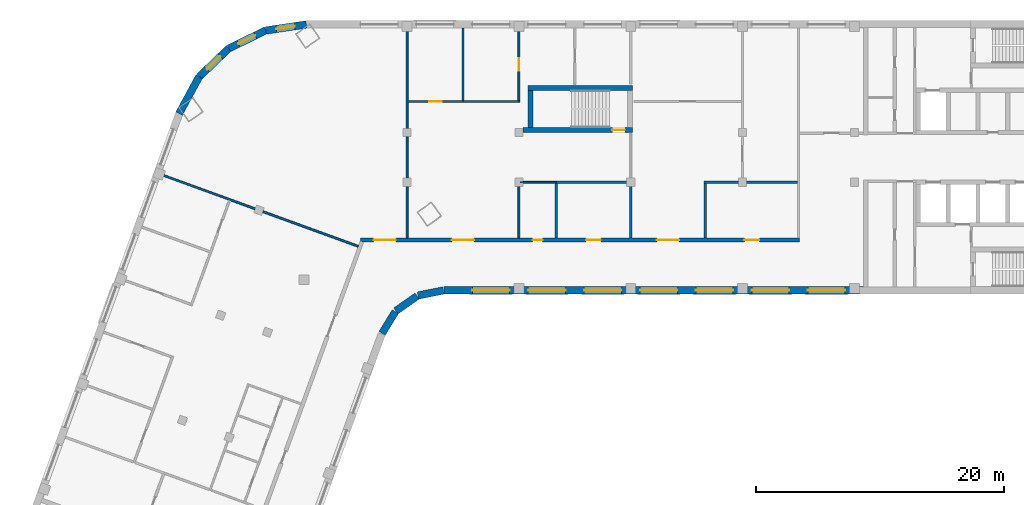
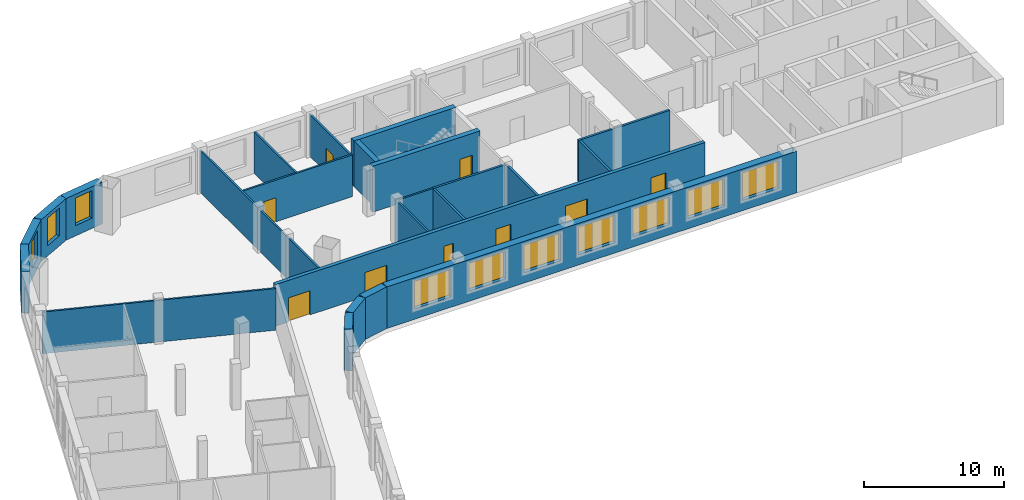
# One storey, part 4 of 8: 24 walls, 10 windows, 9 doors, 19 openings.
"""IFC4 building model written with IfcOpenShell, lengths in metres."""

from ifc_helpers import new_model, si_unit, direction, frame, frame_2d, origin, place, context, subcontext, project, spatial, rectangle, extrude, material, layer, layer_set, type_object, element, fill, save


model = new_model("IFC4")

# Units and contexts
model_context = context("Model", 3, precision=1e-05, world=origin(), true_north=direction((0.0, 1.0)))
body_context = subcontext(model_context, "Body", "Model", "MODEL_VIEW")
ifc_project = project(units=[si_unit("LENGTHUNIT", "METRE"), si_unit("AREAUNIT", "SQUARE_METRE"), si_unit("VOLUMEUNIT", "CUBIC_METRE"), si_unit("PLANEANGLEUNIT", "RADIAN"), si_unit("MASSUNIT", "GRAM", prefix="KILO")], contexts=[model_context])

# Site, building, storey
site_placement = place(None, origin())
site = spatial("IfcSite", under=ifc_project, at=site_placement, CompositionType="ELEMENT")
building_placement = place(site_placement, origin())
building = spatial("IfcBuilding", under=site, at=building_placement, Name="Skarvind Civic Tower", CompositionType="ELEMENT")
storey_placement = place(building_placement, frame((0.0, 0.0, 162.5)))
storey = spatial("IfcBuildingStorey", under=building, at=storey_placement, Name="L38", CompositionType="ELEMENT", Elevation=162.5)

# Walls
ifc_material_1 = material(Name="Acoustic gypsum board on steel studs", Category="steel")
ifc_layer_1 = layer(ifc_material_1, 0.175048828125)
ifc_layer_set_1 = layer_set([ifc_layer_1], Name="ACOUSTIC MEETING-ROOM PARTITION 175")
wall_type_1 = type_object("IfcWallType", Name="ACOUSTIC MEETING-ROOM PARTITION 175", PredefinedType="PARTITIONING", material=ifc_layer_set_1)
wall_1_placement = place(storey_placement, frame((66.25, 121.5, 0.0), z_axis=(0.0, 0.0, 1.0), x_axis=(0.0, 1.0, 0.0)))
element("IfcWall", 1, at=wall_1_placement, inside=storey, type_object=wall_type_1, Name="Partition 38.028", PredefinedType="PARTITIONING", context=body_context, shape_type="SweptSolid", body=[
    extrude(rectangle(XDim=4.412109375, YDim=0.175048828125, at=frame_2d((2.2060546875, 0.0))), origin(), (0.0, 0.0, 1.0), 3.625),
])
wall_2_placement = place(storey_placement, frame((66.25, 126.0, 0.0), z_axis=(0.0, 0.0, 1.0), x_axis=(1.0, 0.0, 0.0)))
element("IfcWall", 2, at=wall_2_placement, inside=storey, type_object=wall_type_1, Name="Partition 38.030", PredefinedType="PARTITIONING", context=body_context, shape_type="SweptSolid", body=[
    extrude(rectangle(XDim=6.0, YDim=0.175048828125, at=frame_2d((3.0, 0.0))), origin(), (0.0, 0.0, 1.0), 3.625),
])
wall_3_placement = place(storey_placement, frame((72.25, 121.5, 0.0), z_axis=(0.0, 0.0, 1.0), x_axis=(0.0, 1.0, 0.0)))
element("IfcWall", 3, at=wall_3_placement, inside=storey, type_object=wall_type_1, Name="Partition 38.032", PredefinedType="PARTITIONING", context=body_context, shape_type="SweptSolid", body=[
    extrude(rectangle(XDim=4.427978515625, YDim=0.175048828125, at=frame_2d((2.2138671875, 0.0))), origin(), (0.0, 0.0, 1.0), 3.625),
])
wall_4_placement = place(storey_placement, frame((78.25, 125.912109375, 0.0), z_axis=(0.0, 0.0, 1.0), x_axis=(0.0, -1.0, 0.0)))
element("IfcWall", 4, at=wall_4_placement, inside=storey, type_object=wall_type_1, Name="Partition 38.035", PredefinedType="PARTITIONING", context=body_context, shape_type="SweptSolid", body=[
    extrude(rectangle(XDim=4.412109375, YDim=0.175048828125, at=frame_2d((2.2060546875, 0.0))), origin(), (0.0, 0.0, 1.0), 3.625),
])
wall_5_placement = place(storey_placement, frame((78.162109375, 126.0, 0.0), z_axis=(0.0, 0.0, 1.0), x_axis=(1.0, 0.0, 0.0)))
element("IfcWall", 5, at=wall_5_placement, inside=storey, type_object=wall_type_1, Name="Partition 38.036", PredefinedType="PARTITIONING", context=body_context, shape_type="SweptSolid", body=[
    extrude(rectangle(XDim=7.5, YDim=0.175048828125, at=frame_2d((3.75, 0.0))), origin(), (0.0, 0.0, 1.0), 3.625),
])

# Wall, openings, doors
ifc_material_2 = material(Name="Fire-rated gypsum board on steel studs", Category="steel")
ifc_layer_2 = layer(ifc_material_2, 0.300048828125)
ifc_layer_set_2 = layer_set([ifc_layer_2], Name="CORRIDOR WALL 300")
wall_type_2 = type_object("IfcWallType", Name="CORRIDOR WALL 300", PredefinedType="PARTITIONING", material=ifc_layer_set_2)
wall_6_placement = place(storey_placement, frame((50.506103515625, 121.35009765625, 0.0), z_axis=(0.0, 0.0, 1.0), x_axis=(1.0, 0.0, 0.0)))
wall_6 = element("IfcWall", 6, at=wall_6_placement, inside=storey, type_object=wall_type_2, Name="Partition 38.022", PredefinedType="PARTITIONING", context=body_context, shape_type="SweptSolid", body=[
    extrude(rectangle(XDim=35.331787109375, YDim=0.300048828125, at=frame_2d((17.666015625, 0.0))), origin(), (0.0, 0.0, 1.0), 3.625),
])
opening_1_placement = place(wall_6_placement, frame((30.89404296875, 0.0, 0.0)))
opening_1 = element("IfcOpeningElement", 7, at=opening_1_placement, cuts=wall_6, Name="Opening L38-D002", PredefinedType="OPENING", context=body_context, shape_type="SweptSolid", body=[
    extrude(rectangle(XDim=1.199951171875, YDim=2.10009765625, at=frame_2d((0.60009765625, 1.050048828125))), frame((0.0, 0.159912109375, 0.0), z_axis=(0.0, -1.0, 0.0), x_axis=(1.0, 0.0, 0.0)), (0.0, 0.0, 1.0), 0.320068359375),
])
opening_2_placement = place(wall_6_placement, frame((23.843994140625, 0.0, 0.0)))
opening_2 = element("IfcOpeningElement", 8, at=opening_2_placement, cuts=wall_6, Name="Opening L38-D004", PredefinedType="OPENING", context=body_context, shape_type="SweptSolid", body=[
    extrude(rectangle(XDim=1.800048828125, YDim=2.10009765625, at=frame_2d((0.89990234375, 1.050048828125))), frame((0.0, 0.159912109375, 0.0), z_axis=(0.0, -1.0, 0.0), x_axis=(1.0, 0.0, 0.0)), (0.0, 0.0, 1.0), 0.320068359375),
])
opening_3_placement = place(wall_6_placement, frame((18.14404296875, 0.0, 0.0)))
opening_3 = element("IfcOpeningElement", 9, at=opening_3_placement, cuts=wall_6, Name="Opening L38-D005", PredefinedType="OPENING", context=body_context, shape_type="SweptSolid", body=[
    extrude(rectangle(XDim=1.199951171875, YDim=2.10009765625, at=frame_2d((0.60009765625, 1.050048828125))), frame((0.0, 0.159912109375, 0.0), z_axis=(0.0, -1.0, 0.0), x_axis=(1.0, 0.0, 0.0)), (0.0, 0.0, 1.0), 0.320068359375),
])
opening_4_placement = place(wall_6_placement, frame((13.843994140625, 0.0, 0.0)))
opening_4 = element("IfcOpeningElement", 10, at=opening_4_placement, cuts=wall_6, Name="Opening L38-D006", PredefinedType="OPENING", context=body_context, shape_type="SweptSolid", body=[
    extrude(rectangle(XDim=0.800048828125, YDim=2.10009765625, at=frame_2d((0.39990234375, 1.050048828125))), frame((0.0, 0.159912109375, 0.0), z_axis=(0.0, -1.0, 0.0), x_axis=(1.0, 0.0, 0.0)), (0.0, 0.0, 1.0), 0.320068359375),
])
opening_5_placement = place(wall_6_placement, frame((7.343994140625, 0.0, 0.0)))
opening_5 = element("IfcOpeningElement", 11, at=opening_5_placement, cuts=wall_6, Name="Opening L38-D010", PredefinedType="OPENING", context=body_context, shape_type="SweptSolid", body=[
    extrude(rectangle(XDim=1.800048828125, YDim=2.10009765625, at=frame_2d((0.89990234375, 1.050048828125))), frame((0.0, 0.159912109375, 0.0), z_axis=(0.0, -1.0, 0.0), x_axis=(1.0, 0.0, 0.0)), (0.0, 0.0, 1.0), 0.320068359375),
])
opening_6_placement = place(wall_6_placement, frame((1.047119140625, 0.0, 0.0)))
opening_6 = element("IfcOpeningElement", 12, at=opening_6_placement, cuts=wall_6, Name="Opening L38-D021", PredefinedType="OPENING", context=body_context, shape_type="SweptSolid", body=[
    extrude(rectangle(XDim=1.800048828125, YDim=2.10009765625, at=frame_2d((0.89990234375, 1.050048828125))), frame((0.0, 0.159912109375, 0.0), z_axis=(0.0, -1.0, 0.0), x_axis=(1.0, 0.0, 0.0)), (0.0, 0.0, 1.0), 0.320068359375),
])
ifc_material_3 = material(Name="Fire-rated timber door leaf", Category="wood")
door_type_1 = type_object("IfcDoorType", Name="FD4 1800x2100", OperationType="NOTDEFINED", PredefinedType="DOOR", material=ifc_material_3)
door_1_placement = place(opening_2_placement, origin())
door_1 = element("IfcDoor", 13, at=door_1_placement, inside=storey, type_object=door_type_1, Name="Door L38-D004", OperationType="DOUBLE_DOOR_SINGLE_SWING", OverallHeight=2.10009765625, OverallWidth=1.800048828125, PredefinedType="DOOR", context=body_context, shape_type="SweptSolid", body=[
    extrude(rectangle(XDim=1.800048828125, YDim=2.10009765625, at=frame_2d((0.89990234375, 1.050048828125))), frame((0.0, 0.02490234375, 0.0), z_axis=(0.0, -1.0, 0.0), x_axis=(1.0, 0.0, 0.0)), (0.0, 0.0, 1.0), 0.050048828125),
])
fill(opening_2, door_1)
door_2_placement = place(opening_5_placement, origin())
door_2 = element("IfcDoor", 14, at=door_2_placement, inside=storey, type_object=door_type_1, Name="Door L38-D010", OperationType="DOUBLE_DOOR_SINGLE_SWING", OverallHeight=2.10009765625, OverallWidth=1.800048828125, PredefinedType="DOOR", context=body_context, shape_type="SweptSolid", body=[
    extrude(rectangle(XDim=1.800048828125, YDim=2.10009765625, at=frame_2d((0.89990234375, 1.050048828125))), frame((0.0, 0.02490234375, 0.0), z_axis=(0.0, -1.0, 0.0), x_axis=(1.0, 0.0, 0.0)), (0.0, 0.0, 1.0), 0.050048828125),
])
fill(opening_5, door_2)
door_3_placement = place(opening_6_placement, origin())
door_3 = element("IfcDoor", 15, at=door_3_placement, inside=storey, type_object=door_type_1, Name="Door L38-D021", OperationType="DOUBLE_DOOR_SINGLE_SWING", OverallHeight=2.10009765625, OverallWidth=1.800048828125, PredefinedType="DOOR", context=body_context, shape_type="SweptSolid", body=[
    extrude(rectangle(XDim=1.800048828125, YDim=2.10009765625, at=frame_2d((0.89990234375, 1.050048828125))), frame((0.0, 0.02490234375, 0.0), z_axis=(0.0, -1.0, 0.0), x_axis=(1.0, 0.0, 0.0)), (0.0, 0.0, 1.0), 0.050048828125),
])
fill(opening_6, door_3)
door_type_2 = type_object("IfcDoorType", Name="FD5 800x2100", OperationType="NOTDEFINED", PredefinedType="DOOR", material=ifc_material_3)
door_4_placement = place(opening_4_placement, origin())
door_4 = element("IfcDoor", 16, at=door_4_placement, inside=storey, type_object=door_type_2, Name="Door L38-D006", OperationType="SINGLE_SWING_LEFT", OverallHeight=2.10009765625, OverallWidth=0.800048828125, PredefinedType="DOOR", context=body_context, shape_type="SweptSolid", body=[
    extrude(rectangle(XDim=0.800048828125, YDim=2.10009765625, at=frame_2d((0.39990234375, 1.050048828125))), frame((0.0, 0.02490234375, 0.0), z_axis=(0.0, -1.0, 0.0), x_axis=(1.0, 0.0, 0.0)), (0.0, 0.0, 1.0), 0.050048828125),
])
fill(opening_4, door_4)
door_type_3 = type_object("IfcDoorType", Name="FD6 1200x2100 DOUBLE", OperationType="NOTDEFINED", PredefinedType="DOOR", material=ifc_material_3)
door_5_placement = place(opening_1_placement, origin())
door_5 = element("IfcDoor", 17, at=door_5_placement, inside=storey, type_object=door_type_3, Name="Door L38-D002", OperationType="DOUBLE_DOOR_SINGLE_SWING", OverallHeight=2.10009765625, OverallWidth=1.199951171875, PredefinedType="DOOR", context=body_context, shape_type="SweptSolid", body=[
    extrude(rectangle(XDim=1.199951171875, YDim=2.10009765625, at=frame_2d((0.60009765625, 1.050048828125))), frame((0.0, 0.02490234375, 0.0), z_axis=(0.0, -1.0, 0.0), x_axis=(1.0, 0.0, 0.0)), (0.0, 0.0, 1.0), 0.050048828125),
])
fill(opening_1, door_5)
door_6_placement = place(opening_3_placement, origin())
door_6 = element("IfcDoor", 18, at=door_6_placement, inside=storey, type_object=door_type_3, Name="Door L38-D005", OperationType="DOUBLE_DOOR_SINGLE_SWING", OverallHeight=2.10009765625, OverallWidth=1.199951171875, PredefinedType="DOOR", context=body_context, shape_type="SweptSolid", body=[
    extrude(rectangle(XDim=1.199951171875, YDim=2.10009765625, at=frame_2d((0.60009765625, 1.050048828125))), frame((0.0, 0.02490234375, 0.0), z_axis=(0.0, -1.0, 0.0), x_axis=(1.0, 0.0, 0.0)), (0.0, 0.0, 1.0), 0.050048828125),
])
fill(opening_3, door_6)

# Wall, opening, door
ifc_material_4 = material(Name="Concrete C60", Category="concrete")
ifc_layer_3 = layer(ifc_material_4, 0.39990234375)
ifc_layer_set_3 = layer_set([ifc_layer_3], Name="Core wall 400 C60")
wall_type_3 = type_object("IfcWallType", Name="Core wall 400 C60", PredefinedType="SHEAR", material=ifc_layer_set_3)
wall_7_placement = place(storey_placement, frame((63.574951171875, 130.199951171875, 0.0), z_axis=(0.0, 0.0, 1.0), x_axis=(1.0, 0.0, 0.0)))
wall_7 = element("IfcWall", 19, at=wall_7_placement, inside=storey, type_object=wall_type_3, Name="Core wall CM inner L38", PredefinedType="SHEAR", context=body_context, shape_type="SweptSolid", body=[
    extrude(rectangle(XDim=8.824951171875, YDim=0.39990234375, at=frame_2d((4.41259765625, 0.0))), origin(), (0.0, 0.0, 1.0), 4.0),
])
opening_7_placement = place(wall_7_placement, frame((7.199951171875, 0.0, 0.0)))
opening_7 = element("IfcOpeningElement", 20, at=opening_7_placement, cuts=wall_7, Name="Opening D-L38-CM-01", PredefinedType="OPENING", context=body_context, shape_type="SweptSolid", body=[
    extrude(rectangle(XDim=1.0, YDim=2.10009765625, at=frame_2d((0.5, 1.050048828125))), frame((0.0, 0.2099609375, 0.0), z_axis=(0.0, -1.0, 0.0), x_axis=(1.0, 0.0, 0.0)), (0.0, 0.0, 1.0), 0.419921875),
])
ifc_material_5 = material(Name="Fire-rated steel door", Category="steel")
door_type_4 = type_object("IfcDoorType", Name="Fire door 1000", OperationType="NOTDEFINED", PredefinedType="DOOR", material=ifc_material_5)
door_7_placement = place(opening_7_placement, origin())
door_7 = element("IfcDoor", 21, at=door_7_placement, inside=storey, type_object=door_type_4, Name="Fire door", OperationType="SINGLE_SWING_LEFT", OverallHeight=2.10009765625, OverallWidth=1.0, PredefinedType="DOOR", context=body_context, shape_type="SweptSolid", body=[
    extrude(rectangle(XDim=1.0, YDim=2.10009765625, at=frame_2d((0.5, 1.050048828125))), frame((0.0, 0.02490234375, 0.0), z_axis=(0.0, -1.0, 0.0), x_axis=(1.0, 0.0, 0.0)), (0.0, 0.0, 1.0), 0.050048828125),
])
fill(opening_7, door_7)

# Walls
wall_8_placement = place(storey_placement, frame((64.0, 133.60009765625, 0.0), z_axis=(0.0, 0.0, 1.0), x_axis=(1.0, 0.0, 0.0)))
element("IfcWall", 22, at=wall_8_placement, inside=storey, type_object=wall_type_3, Name="Core wall CM outer L38", PredefinedType="SHEAR", context=body_context, shape_type="SweptSolid", body=[
    extrude(rectangle(XDim=8.39990234375, YDim=0.39990234375, at=frame_2d((4.199951171875, 0.0))), origin(), (0.0, 0.0, 1.0), 4.0),
])
wall_9_placement = place(storey_placement, frame((64.199951171875, 130.39990234375, 0.0), z_axis=(0.0, 0.0, 1.0), x_axis=(0.0, 1.0, 0.0)))
element("IfcWall", 23, at=wall_9_placement, inside=storey, type_object=wall_type_3, Name="Core wall CM west L38", PredefinedType="SHEAR", context=body_context, shape_type="SweptSolid", body=[
    extrude(rectangle(XDim=3.0, YDim=0.39990234375, at=frame_2d((1.5, 0.0))), origin(), (0.0, 0.0, 1.0), 4.0),
])
ifc_material_6 = material(Name="Plasterboard partition on steel studs", Category="steel")
ifc_layer_4 = layer(ifc_material_6, 0.14990234375)
ifc_layer_set_4 = layer_set([ifc_layer_4], Name="PARTITION 150")
wall_type_4 = type_object("IfcWallType", Name="PARTITION 150", PredefinedType="PARTITIONING", material=ifc_layer_set_4)
wall_10_placement = place(storey_placement, frame((34.430908203125, 126.6240234375, 0.0), z_axis=(0.0, 0.0, 1.0), x_axis=(0.939678226331, -0.342059689177, 0.0)))
element("IfcWall", 24, at=wall_10_placement, inside=storey, type_object=wall_type_4, Name="Partition 38.006", PredefinedType="PARTITIONING", context=body_context, shape_type="SweptSolid", body=[
    extrude(rectangle(XDim=16.900634765625, YDim=0.14990234375, at=frame_2d((8.4501953125, 0.0))), origin(), (0.0, 0.0, 1.0), 3.625),
])
wall_11_placement = place(storey_placement, frame((54.25, 121.5, 0.0), z_axis=(0.0, 0.0, 1.0), x_axis=(0.0, 1.0, 0.0)))
element("IfcWall", 25, at=wall_11_placement, inside=storey, type_object=wall_type_4, Name="Partition 38.023", PredefinedType="PARTITIONING", context=body_context, shape_type="SweptSolid", body=[
    extrude(rectangle(XDim=16.89990234375, YDim=0.14990234375, at=frame_2d((8.449951171875, 0.0))), origin(), (0.0, 0.0, 1.0), 3.625),
])

# Wall, opening, door
wall_12_placement = place(storey_placement, frame((63.324951171875, 132.5, 0.0), z_axis=(0.0, 0.0, 1.0), x_axis=(-1.0, 0.0, 0.0)))
wall_12 = element("IfcWall", 26, at=wall_12_placement, inside=storey, type_object=wall_type_4, Name="Partition 38.024", PredefinedType="PARTITIONING", context=body_context, shape_type="SweptSolid", body=[
    extrude(rectangle(XDim=9.0, YDim=0.14990234375, at=frame_2d((4.5, 0.0))), origin(), (0.0, 0.0, 1.0), 3.625),
])
opening_8_placement = place(wall_12_placement, frame((6.297607421875, 0.0, 0.0)))
opening_8 = element("IfcOpeningElement", 27, at=opening_8_placement, cuts=wall_12, Name="Opening L38-D009", PredefinedType="OPENING", context=body_context, shape_type="SweptSolid", body=[
    extrude(rectangle(XDim=1.0, YDim=2.10009765625, at=frame_2d((0.5, 1.050048828125))), frame((0.0, 0.0849609375, 0.0), z_axis=(0.0, -1.0, 0.0), x_axis=(1.0, 0.0, 0.0)), (0.0, 0.0, 1.0), 0.169921875),
])
ifc_material_7 = material(Name="Timber door leaf", Category="wood")
door_type_5 = type_object("IfcDoorType", Name="D1 1000x2100", OperationType="NOTDEFINED", PredefinedType="DOOR", material=ifc_material_7)
door_8_placement = place(opening_8_placement, origin())
door_8 = element("IfcDoor", 28, at=door_8_placement, inside=storey, type_object=door_type_5, Name="Door L38-D009", OperationType="SINGLE_SWING_RIGHT", OverallHeight=2.10009765625, OverallWidth=1.0, PredefinedType="DOOR", context=body_context, shape_type="SweptSolid", body=[
    extrude(rectangle(XDim=1.0, YDim=2.10009765625, at=frame_2d((0.5, 1.050048828125))), frame((0.0, 0.02490234375, 0.0), z_axis=(0.0, -1.0, 0.0), x_axis=(1.0, 0.0, 0.0)), (0.0, 0.0, 1.0), 0.050048828125),
])
fill(opening_8, door_8)

# Walls
wall_13_placement = place(storey_placement, frame((58.75, 132.574951171875, 0.0), z_axis=(0.0, 0.0, 1.0), x_axis=(0.0, 1.0, 0.0)))
element("IfcWall", 29, at=wall_13_placement, inside=storey, type_object=wall_type_4, Name="Partition 38.025", PredefinedType="PARTITIONING", context=body_context, shape_type="SweptSolid", body=[
    extrude(rectangle(XDim=5.824951171875, YDim=0.14990234375, at=frame_2d((2.91259765625, 0.0))), origin(), (0.0, 0.0, 1.0), 3.625),
])
wall_14_placement = place(storey_placement, frame((63.25, 126.074951171875, 0.0), z_axis=(0.0, 0.0, 1.0), x_axis=(0.0, -1.0, 0.0)))
element("IfcWall", 30, at=wall_14_placement, inside=storey, type_object=wall_type_4, Name="Partition 38.026", PredefinedType="PARTITIONING", context=body_context, shape_type="SweptSolid", body=[
    extrude(rectangle(XDim=4.574951171875, YDim=0.14990234375, at=frame_2d((2.28759765625, 0.0))), origin(), (0.0, 0.0, 1.0), 3.625),
])

# Wall, opening, door
wall_15_placement = place(storey_placement, frame((63.25, 138.39990234375, 0.0), z_axis=(0.0, 0.0, 1.0), x_axis=(0.0, -1.0, 0.0)))
wall_15 = element("IfcWall", 31, at=wall_15_placement, inside=storey, type_object=wall_type_4, Name="Partition 38.027", PredefinedType="PARTITIONING", context=body_context, shape_type="SweptSolid", body=[
    extrude(rectangle(XDim=5.824951171875, YDim=0.14990234375, at=frame_2d((2.91259765625, 0.0))), origin(), (0.0, 0.0, 1.0), 3.625),
])
opening_9_placement = place(wall_15_placement, frame((2.422607421875, 0.0, 0.0)))
opening_9 = element("IfcOpeningElement", 32, at=opening_9_placement, cuts=wall_15, Name="Opening L38-D008", PredefinedType="OPENING", context=body_context, shape_type="SweptSolid", body=[
    extrude(rectangle(XDim=1.0, YDim=2.10009765625, at=frame_2d((0.5, 1.050048828125))), frame((0.0, 0.0849609375, 0.0), z_axis=(0.0, -1.0, 0.0), x_axis=(1.0, 0.0, 0.0)), (0.0, 0.0, 1.0), 0.169921875),
])
door_9_placement = place(opening_9_placement, origin())
door_9 = element("IfcDoor", 33, at=door_9_placement, inside=storey, type_object=door_type_5, Name="Door L38-D008", OperationType="SINGLE_SWING_LEFT", OverallHeight=2.10009765625, OverallWidth=1.0, PredefinedType="DOOR", context=body_context, shape_type="SweptSolid", body=[
    extrude(rectangle(XDim=1.0, YDim=2.10009765625, at=frame_2d((0.5, 1.050048828125))), frame((0.0, 0.02490234375, 0.0), z_axis=(0.0, -1.0, 0.0), x_axis=(1.0, 0.0, 0.0)), (0.0, 0.0, 1.0), 0.050048828125),
])
fill(opening_9, door_9)

# Walls
wall_16_placement = place(storey_placement, frame((66.25, 126.0, 0.0), z_axis=(0.0, 0.0, 1.0), x_axis=(-1.0, 0.0, 0.0)))
element("IfcWall", 34, at=wall_16_placement, inside=storey, type_object=wall_type_4, Name="Partition 38.029", PredefinedType="PARTITIONING", context=body_context, shape_type="SweptSolid", body=[
    extrude(rectangle(XDim=2.925048828125, YDim=0.14990234375, at=frame_2d((1.46240234375, 0.0))), origin(), (0.0, 0.0, 1.0), 3.625),
])
ifc_material_8 = material(Name="Limestone masonry cladding on insulated backing", Category="masonry")
ifc_layer_5 = layer(ifc_material_8, 0.60009765625)
ifc_layer_set_5 = layer_set([ifc_layer_5], Name="WX1 STONE FACADE WALL 600")
wall_type_5 = type_object("IfcWallType", Name="WX1 STONE FACADE WALL 600", PredefinedType="SOLIDWALL", material=ifc_layer_set_5)
wall_17_placement = place(storey_placement, frame((53.30517578125, 115.578369140625, 0.0), z_axis=(0.0, 0.0, 1.0), x_axis=(-0.522402266438, -0.852699168535, 0.0)))
element("IfcWall", 35, at=wall_17_placement, inside=storey, type_object=wall_type_5, Name="STONE FACADE WALL", PredefinedType="SOLIDWALL", context=body_context, shape_type="SweptSolid", body=[
    extrude(rectangle(XDim=2.042236328125, YDim=0.60009765625, at=frame_2d((1.02099609375, 0.0))), origin(), (0.0, 0.0, 1.0), 3.625),
])
for number, where, z_axis, x_axis, name in (
    (36, (55.061767578125, 116.8388671875, 0.0), (0.0, 0.0, 1.0), (-0.819122269495, -0.573618956815, 0.0), "STONE FACADE WALL"),
    (37, (57.17529296875, 117.2939453125, 0.0), (0.0, 0.0, 1.0), (-0.97996099083, -0.19918949885, 0.0), "STONE FACADE WALL"),
):
    element("IfcWall", number, at=place(storey_placement, frame(where, z_axis=z_axis, x_axis=x_axis)), inside=storey, type_object=wall_type_5, Name=name, PredefinedType="SOLIDWALL", context=body_context, shape_type="SweptSolid", body=[
        extrude(rectangle(XDim=2.09228515625, YDim=0.60009765625, at=frame_2d((1.046142578125, 0.0))), origin(), (0.0, 0.0, 1.0), 3.625),
    ])

# Wall, openings, windows
wall_18_placement = place(storey_placement, frame((90.97998046875, 117.300048828125, 0.0), z_axis=(0.0, 0.0, 1.0), x_axis=(-1.0, 0.0, 0.0)))
wall_18 = element("IfcWall", 38, at=wall_18_placement, inside=storey, type_object=wall_type_5, Name="STONE FACADE WALL", PredefinedType="SOLIDWALL", context=body_context, shape_type="SweptSolid", body=[
    extrude(rectangle(XDim=33.744873046875, YDim=0.60009765625, at=frame_2d((16.87255859375, 0.0))), origin(), (0.0, 0.0, 1.0), 3.625),
])
opening_10_placement = place(wall_18_placement, frame((1.47998046875, 0.0, 0.89990234375)))
opening_10 = element("IfcOpeningElement", 39, at=opening_10_placement, cuts=wall_18, Name="Opening WN1", PredefinedType="OPENING", context=body_context, shape_type="SweptSolid", body=[
    extrude(rectangle(XDim=3.0, YDim=2.39990234375, at=frame_2d((1.5, 1.199951171875))), frame((0.0, 0.31005859375, 0.0), z_axis=(0.0, -1.0, 0.0), x_axis=(1.0, 0.0, 0.0)), (0.0, 0.0, 1.0), 0.6201171875),
])
opening_11_placement = place(wall_18_placement, frame((5.97998046875, 0.0, 0.89990234375)))
opening_11 = element("IfcOpeningElement", 40, at=opening_11_placement, cuts=wall_18, Name="Opening WN1", PredefinedType="OPENING", context=body_context, shape_type="SweptSolid", body=[
    extrude(rectangle(XDim=3.0, YDim=2.39990234375, at=frame_2d((1.5, 1.199951171875))), frame((0.0, 0.31005859375, 0.0), z_axis=(0.0, -1.0, 0.0), x_axis=(1.0, 0.0, 0.0)), (0.0, 0.0, 1.0), 0.6201171875),
])
opening_12_placement = place(wall_18_placement, frame((10.47998046875, 0.0, 0.89990234375)))
opening_12 = element("IfcOpeningElement", 41, at=opening_12_placement, cuts=wall_18, Name="Opening WN1", PredefinedType="OPENING", context=body_context, shape_type="SweptSolid", body=[
    extrude(rectangle(XDim=3.0, YDim=2.39990234375, at=frame_2d((1.5, 1.199951171875))), frame((0.0, 0.31005859375, 0.0), z_axis=(0.0, -1.0, 0.0), x_axis=(1.0, 0.0, 0.0)), (0.0, 0.0, 1.0), 0.6201171875),
])
opening_13_placement = place(wall_18_placement, frame((14.97998046875, 0.0, 0.89990234375)))
opening_13 = element("IfcOpeningElement", 42, at=opening_13_placement, cuts=wall_18, Name="Opening WN1", PredefinedType="OPENING", context=body_context, shape_type="SweptSolid", body=[
    extrude(rectangle(XDim=3.0, YDim=2.39990234375, at=frame_2d((1.5, 1.199951171875))), frame((0.0, 0.31005859375, 0.0), z_axis=(0.0, -1.0, 0.0), x_axis=(1.0, 0.0, 0.0)), (0.0, 0.0, 1.0), 0.6201171875),
])
opening_14_placement = place(wall_18_placement, frame((19.47998046875, 0.0, 0.89990234375)))
opening_14 = element("IfcOpeningElement", 43, at=opening_14_placement, cuts=wall_18, Name="Opening WN1", PredefinedType="OPENING", context=body_context, shape_type="SweptSolid", body=[
    extrude(rectangle(XDim=3.0, YDim=2.39990234375, at=frame_2d((1.5, 1.199951171875))), frame((0.0, 0.31005859375, 0.0), z_axis=(0.0, -1.0, 0.0), x_axis=(1.0, 0.0, 0.0)), (0.0, 0.0, 1.0), 0.6201171875),
])
opening_15_placement = place(wall_18_placement, frame((23.97998046875, 0.0, 0.89990234375)))
opening_15 = element("IfcOpeningElement", 44, at=opening_15_placement, cuts=wall_18, Name="Opening WN1", PredefinedType="OPENING", context=body_context, shape_type="SweptSolid", body=[
    extrude(rectangle(XDim=3.0, YDim=2.39990234375, at=frame_2d((1.5, 1.199951171875))), frame((0.0, 0.31005859375, 0.0), z_axis=(0.0, -1.0, 0.0), x_axis=(1.0, 0.0, 0.0)), (0.0, 0.0, 1.0), 0.6201171875),
])
opening_16_placement = place(wall_18_placement, frame((28.47998046875, 0.0, 0.89990234375)))
opening_16 = element("IfcOpeningElement", 45, at=opening_16_placement, cuts=wall_18, Name="Opening WN1", PredefinedType="OPENING", context=body_context, shape_type="SweptSolid", body=[
    extrude(rectangle(XDim=3.0, YDim=2.39990234375, at=frame_2d((1.5, 1.199951171875))), frame((0.0, 0.31005859375, 0.0), z_axis=(0.0, -1.0, 0.0), x_axis=(1.0, 0.0, 0.0)), (0.0, 0.0, 1.0), 0.6201171875),
])
ifc_material_9 = material(Name="Timber frame, double glazing, timber-lined reveal", Category="wood")
window_type_1 = type_object("IfcWindowType", Name="WN1 PUNCHED STONE WINDOW 3000 x 2400", PartitioningType="SINGLE_PANEL", PredefinedType="WINDOW", material=ifc_material_9)
window_1_placement = place(opening_10_placement, origin())
window_1 = element("IfcWindow", 46, at=window_1_placement, inside=storey, type_object=window_type_1, Name="WN1 WINDOW", OverallHeight=2.39990234375, OverallWidth=3.0, PartitioningType="SINGLE_PANEL", PredefinedType="WINDOW", context=body_context, shape_type="SweptSolid", body=[
    extrude(rectangle(XDim=3.0, YDim=2.39990234375, at=frame_2d((1.5, 1.199951171875))), frame((0.0, 0.030029296875, 0.0), z_axis=(0.0, -1.0, 0.0), x_axis=(1.0, 0.0, 0.0)), (0.0, 0.0, 1.0), 0.06005859375),
])
fill(opening_10, window_1)
window_2_placement = place(opening_11_placement, origin())
window_2 = element("IfcWindow", 47, at=window_2_placement, inside=storey, type_object=window_type_1, Name="WN1 WINDOW", OverallHeight=2.39990234375, OverallWidth=3.0, PartitioningType="SINGLE_PANEL", PredefinedType="WINDOW", context=body_context, shape_type="SweptSolid", body=[
    extrude(rectangle(XDim=3.0, YDim=2.39990234375, at=frame_2d((1.5, 1.199951171875))), frame((0.0, 0.030029296875, 0.0), z_axis=(0.0, -1.0, 0.0), x_axis=(1.0, 0.0, 0.0)), (0.0, 0.0, 1.0), 0.06005859375),
])
fill(opening_11, window_2)
window_3_placement = place(opening_12_placement, origin())
window_3 = element("IfcWindow", 48, at=window_3_placement, inside=storey, type_object=window_type_1, Name="WN1 WINDOW", OverallHeight=2.39990234375, OverallWidth=3.0, PartitioningType="SINGLE_PANEL", PredefinedType="WINDOW", context=body_context, shape_type="SweptSolid", body=[
    extrude(rectangle(XDim=3.0, YDim=2.39990234375, at=frame_2d((1.5, 1.199951171875))), frame((0.0, 0.030029296875, 0.0), z_axis=(0.0, -1.0, 0.0), x_axis=(1.0, 0.0, 0.0)), (0.0, 0.0, 1.0), 0.06005859375),
])
fill(opening_12, window_3)
window_4_placement = place(opening_13_placement, origin())
window_4 = element("IfcWindow", 49, at=window_4_placement, inside=storey, type_object=window_type_1, Name="WN1 WINDOW", OverallHeight=2.39990234375, OverallWidth=3.0, PartitioningType="SINGLE_PANEL", PredefinedType="WINDOW", context=body_context, shape_type="SweptSolid", body=[
    extrude(rectangle(XDim=3.0, YDim=2.39990234375, at=frame_2d((1.5, 1.199951171875))), frame((0.0, 0.030029296875, 0.0), z_axis=(0.0, -1.0, 0.0), x_axis=(1.0, 0.0, 0.0)), (0.0, 0.0, 1.0), 0.06005859375),
])
fill(opening_13, window_4)
window_5_placement = place(opening_14_placement, origin())
window_5 = element("IfcWindow", 50, at=window_5_placement, inside=storey, type_object=window_type_1, Name="WN1 WINDOW", OverallHeight=2.39990234375, OverallWidth=3.0, PartitioningType="SINGLE_PANEL", PredefinedType="WINDOW", context=body_context, shape_type="SweptSolid", body=[
    extrude(rectangle(XDim=3.0, YDim=2.39990234375, at=frame_2d((1.5, 1.199951171875))), frame((0.0, 0.030029296875, 0.0), z_axis=(0.0, -1.0, 0.0), x_axis=(1.0, 0.0, 0.0)), (0.0, 0.0, 1.0), 0.06005859375),
])
fill(opening_14, window_5)
window_6_placement = place(opening_15_placement, origin())
window_6 = element("IfcWindow", 51, at=window_6_placement, inside=storey, type_object=window_type_1, Name="WN1 WINDOW", OverallHeight=2.39990234375, OverallWidth=3.0, PartitioningType="SINGLE_PANEL", PredefinedType="WINDOW", context=body_context, shape_type="SweptSolid", body=[
    extrude(rectangle(XDim=3.0, YDim=2.39990234375, at=frame_2d((1.5, 1.199951171875))), frame((0.0, 0.030029296875, 0.0), z_axis=(0.0, -1.0, 0.0), x_axis=(1.0, 0.0, 0.0)), (0.0, 0.0, 1.0), 0.06005859375),
])
fill(opening_15, window_6)
window_7_placement = place(opening_16_placement, origin())
window_7 = element("IfcWindow", 52, at=window_7_placement, inside=storey, type_object=window_type_1, Name="WN1 WINDOW", OverallHeight=2.39990234375, OverallWidth=3.0, PartitioningType="SINGLE_PANEL", PredefinedType="WINDOW", context=body_context, shape_type="SweptSolid", body=[
    extrude(rectangle(XDim=3.0, YDim=2.39990234375, at=frame_2d((1.5, 1.199951171875))), frame((0.0, 0.030029296875, 0.0), z_axis=(0.0, -1.0, 0.0), x_axis=(1.0, 0.0, 0.0)), (0.0, 0.0, 1.0), 0.06005859375),
])
fill(opening_16, window_7)

# Wall, opening, window
wall_19_placement = place(storey_placement, frame((42.872802734375, 138.21728515625, 0.0), z_axis=(0.0, 0.0, 1.0), x_axis=(0.989110792192, 0.14717282619, 0.0)))
wall_19 = element("IfcWall", 53, at=wall_19_placement, inside=storey, type_object=wall_type_5, Name="STONE FACADE WALL", PredefinedType="SOLIDWALL", context=body_context, shape_type="SweptSolid", body=[
    extrude(rectangle(XDim=3.302734375, YDim=0.60009765625, at=frame_2d((1.6513671875, 0.0))), origin(), (0.0, 0.0, 1.0), 3.625),
])
opening_17_placement = place(wall_19_placement, frame((0.8564453125, 0.0, 0.89990234375)))
opening_17 = element("IfcOpeningElement", 54, at=opening_17_placement, cuts=wall_19, Name="Opening WN8", PredefinedType="OPENING", context=body_context, shape_type="SweptSolid", body=[
    extrude(rectangle(XDim=1.5, YDim=2.39990234375, at=frame_2d((0.75, 1.199951171875))), frame((0.0, 0.31005859375, 0.0), z_axis=(0.0, -1.0, 0.0), x_axis=(1.0, 0.0, 0.0)), (0.0, 0.0, 1.0), 0.6201171875),
])
window_type_2 = type_object("IfcWindowType", Name="WN8 ARC BAY WINDOW 1500 x 2400", PartitioningType="SINGLE_PANEL", PredefinedType="WINDOW", material=ifc_material_9)
window_8_placement = place(opening_17_placement, origin())
window_8 = element("IfcWindow", 55, at=window_8_placement, inside=storey, type_object=window_type_2, Name="WN8 WINDOW", OverallHeight=2.39990234375, OverallWidth=1.5, PartitioningType="SINGLE_PANEL", PredefinedType="WINDOW", context=body_context, shape_type="SweptSolid", body=[
    extrude(rectangle(XDim=1.5, YDim=2.39990234375, at=frame_2d((0.75, 1.199951171875))), frame((0.0, 0.030029296875, 0.0), z_axis=(0.0, -1.0, 0.0), x_axis=(1.0, 0.0, 0.0)), (0.0, 0.0, 1.0), 0.06005859375),
])
fill(opening_17, window_8)

wall_20_placement = place(storey_placement, frame((39.9072265625, 136.77587890625, 0.0), z_axis=(0.0, 0.0, 1.0), x_axis=(0.89761231107, 0.440785819889, 0.0)))
wall_20 = element("IfcWall", 56, at=wall_20_placement, inside=storey, type_object=wall_type_5, Name="STONE FACADE WALL", PredefinedType="SOLIDWALL", context=body_context, shape_type="SweptSolid", body=[
    extrude(rectangle(XDim=3.302734375, YDim=0.60009765625, at=frame_2d((1.6513671875, 0.0))), origin(), (0.0, 0.0, 1.0), 3.625),
])
opening_18_placement = place(wall_20_placement, frame((0.8564453125, 0.0, 0.89990234375)))
opening_18 = element("IfcOpeningElement", 57, at=opening_18_placement, cuts=wall_20, Name="Opening WN8", PredefinedType="OPENING", context=body_context, shape_type="SweptSolid", body=[
    extrude(rectangle(XDim=1.5, YDim=2.39990234375, at=frame_2d((0.75, 1.199951171875))), frame((0.0, 0.31005859375, 0.0), z_axis=(0.0, -1.0, 0.0), x_axis=(1.0, 0.0, 0.0)), (0.0, 0.0, 1.0), 0.6201171875),
])
window_9_placement = place(opening_18_placement, origin())
window_9 = element("IfcWindow", 58, at=window_9_placement, inside=storey, type_object=window_type_2, Name="WN8 WINDOW", OverallHeight=2.39990234375, OverallWidth=1.5, PartitioningType="SINGLE_PANEL", PredefinedType="WINDOW", context=body_context, shape_type="SweptSolid", body=[
    extrude(rectangle(XDim=1.5, YDim=2.39990234375, at=frame_2d((0.75, 1.199951171875))), frame((0.0, 0.030029296875, 0.0), z_axis=(0.0, -1.0, 0.0), x_axis=(1.0, 0.0, 0.0)), (0.0, 0.0, 1.0), 0.06005859375),
])
fill(opening_18, window_9)

wall_21_placement = place(storey_placement, frame((37.520263671875, 134.501220703125, 0.0), z_axis=(0.0, 0.0, 1.0), x_axis=(0.72115684486, 0.692771827596, 0.0)))
wall_21 = element("IfcWall", 59, at=wall_21_placement, inside=storey, type_object=wall_type_5, Name="STONE FACADE WALL", PredefinedType="SOLIDWALL", context=body_context, shape_type="SweptSolid", body=[
    extrude(rectangle(XDim=3.302734375, YDim=0.60009765625, at=frame_2d((1.6513671875, 0.0))), origin(), (0.0, 0.0, 1.0), 3.625),
])
opening_19_placement = place(wall_21_placement, frame((0.8564453125, 0.0, 0.89990234375)))
opening_19 = element("IfcOpeningElement", 60, at=opening_19_placement, cuts=wall_21, Name="Opening WN8", PredefinedType="OPENING", context=body_context, shape_type="SweptSolid", body=[
    extrude(rectangle(XDim=1.5, YDim=2.39990234375, at=frame_2d((0.75, 1.199951171875))), frame((0.0, 0.31005859375, 0.0), z_axis=(0.0, -1.0, 0.0), x_axis=(1.0, 0.0, 0.0)), (0.0, 0.0, 1.0), 0.6201171875),
])
window_10_placement = place(opening_19_placement, origin())
window_10 = element("IfcWindow", 61, at=window_10_placement, inside=storey, type_object=window_type_2, Name="WN8 WINDOW", OverallHeight=2.39990234375, OverallWidth=1.5, PartitioningType="SINGLE_PANEL", PredefinedType="WINDOW", context=body_context, shape_type="SweptSolid", body=[
    extrude(rectangle(XDim=1.5, YDim=2.39990234375, at=frame_2d((0.75, 1.199951171875))), frame((0.0, 0.030029296875, 0.0), z_axis=(0.0, -1.0, 0.0), x_axis=(1.0, 0.0, 0.0)), (0.0, 0.0, 1.0), 0.06005859375),
])
fill(opening_19, window_10)

# Wall
wall_22_placement = place(storey_placement, frame((35.89453125, 131.529541015625, 0.0), z_axis=(0.0, 0.0, 1.0), x_axis=(0.476531180538, 0.879157570618, 0.0)))
element("IfcWall", 62, at=wall_22_placement, inside=storey, type_object=wall_type_5, Name="STONE FACADE WALL", PredefinedType="SOLIDWALL", context=body_context, shape_type="SweptSolid", body=[
    extrude(rectangle(XDim=3.392578125, YDim=0.60009765625, at=frame_2d((1.6962890625, 0.0))), origin(), (0.0, 0.0, 1.0), 3.625),
])

save(model, "model.ifc")
